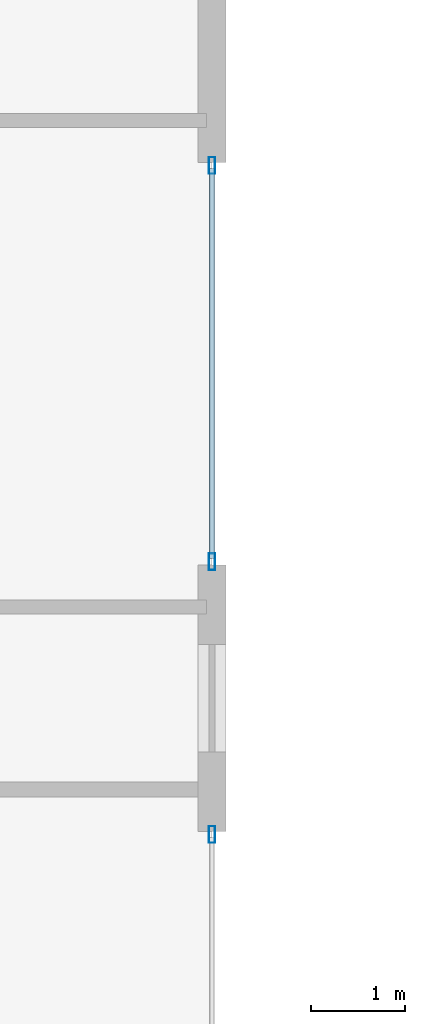
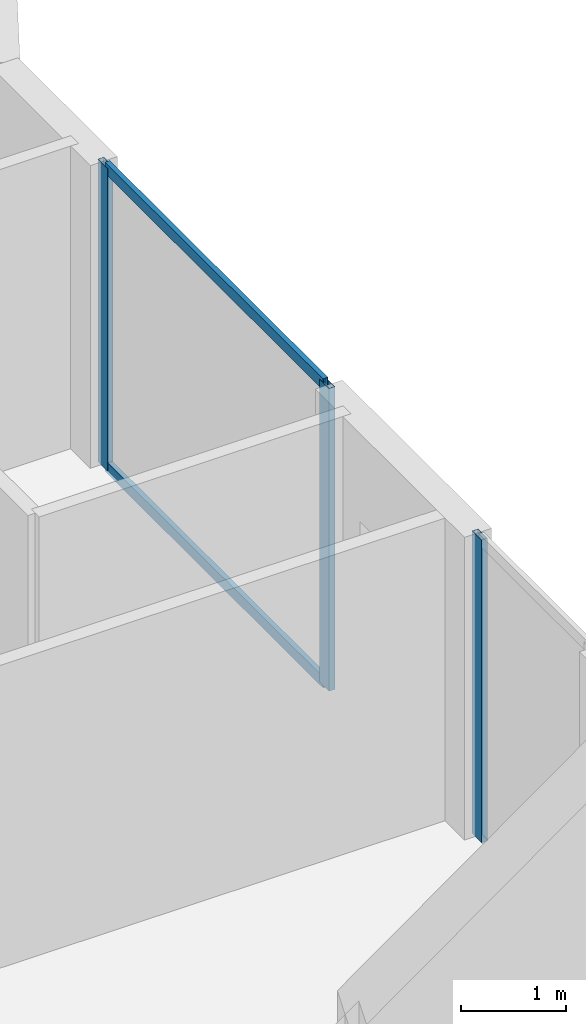
# One storey, part 14 of 32: 5 members, 2 elements without a shape of their own.
"""IFC4 building model written with IfcOpenShell, lengths in metres."""

from ifc_helpers import new_model, si_unit, direction, frame, origin, origin_2d, place, context, subcontext, project, spatial, hollow_rectangle, extrude, material, layer, layer_set, material_profile, profile_set, type_object, element, aggregate, save


model = new_model("IFC4")

# Units and contexts
model_context = context("Model", 3, precision=1e-05, world=origin(), true_north=direction((0.0, 1.0)))
body_context = subcontext(model_context, "Body", "Model", "MODEL_VIEW")
ifc_project = project(units=[si_unit("LENGTHUNIT", "METRE"), si_unit("AREAUNIT", "SQUARE_METRE"), si_unit("VOLUMEUNIT", "CUBIC_METRE"), si_unit("PLANEANGLEUNIT", "RADIAN"), si_unit("MASSUNIT", "GRAM", prefix="KILO")], contexts=[model_context])

# Site, building, storey
site_placement = place(None, origin())
site = spatial("IfcSite", under=ifc_project, at=site_placement, CompositionType="ELEMENT")
building_placement = place(site_placement, origin())
building = spatial("IfcBuilding", under=site, at=building_placement, Name="Zuhayl Quay Hotel", CompositionType="ELEMENT")
storey_placement = place(building_placement, frame((0.0, 0.0, 203.64990234375)))
storey = spatial("IfcBuildingStorey", under=building, at=storey_placement, Name="L51", CompositionType="ELEMENT", Elevation=203.64990234375)

# Curtain wall, members
ifc_material_1 = material(Name="Anodised Aluminium 6063-T6", Category="aluminium")
ifc_layer = layer(ifc_material_1, 0.175048828125, Name="Anodised Aluminium 6063-T6", Category="aluminium")
ifc_layer_set = layer_set([ifc_layer], Name="Anodised Aluminium 6063-T6")
curtain_wall_type = type_object("IfcCurtainWallType", Name="CW_SYS_Z3", PredefinedType="USERDEFINED", material=ifc_layer_set)
curtain_wall_1_placement = place(storey_placement, origin())
curtain_wall_1 = element("IfcCurtainWall", 1, at=curtain_wall_1_placement, inside=storey, type_object=curtain_wall_type, Name="L51 Curtain Wall ENV_L51_E14_CW1", ObjectType="UNITISED CURTAIN WALL", PredefinedType="USERDEFINED")
ifc_material_2 = material(Name="Black-anodised aluminium 6063-T6", Category="aluminium")
ifc_material_profile_1 = material_profile(ifc_material_2, hollow_rectangle(XDim=0.06494140625, YDim=0.179931640625, WallThickness=0.00341796875, at=origin_2d()), Name="ALU180X65")
ifc_profile_set_1 = profile_set([ifc_material_profile_1], Name="Black-anodised aluminium 6063-T6")
member_type_1 = type_object("IfcMemberType", Name="MB_CW_MUL_180", PredefinedType="MULLION", material=ifc_profile_set_1)
member_1_placement = place(storey_placement, frame((22.10009765625, 6.267578125, 0.0), z_axis=(0.0, 0.0, 1.0), x_axis=(1.0, 0.0, 0.0)))
member_1 = element("IfcMember", 2, at=member_1_placement, type_object=member_type_1, Name="CW-Z3 mullion 1", PredefinedType="MULLION", context=body_context, shape_type="SweptSolid", body=[
    extrude(hollow_rectangle(XDim=0.06494140625, YDim=0.179931640625, WallThickness=0.00341796875, at=origin_2d()), origin(), (0.0, 0.0, 1.0), 3.530029296875),
])
member_2_placement = place(storey_placement, frame((22.10009765625, 2.032470703125, 0.0), z_axis=(0.0, 0.0, 1.0), x_axis=(1.0, 0.0, 0.0)))
member_2 = element("IfcMember", 3, at=member_2_placement, type_object=member_type_1, Name="CW-Z3 mullion 2", PredefinedType="MULLION", context=body_context, shape_type="SweptSolid", body=[
    extrude(hollow_rectangle(XDim=0.06494140625, YDim=0.179931640625, WallThickness=0.00341796875, at=origin_2d()), origin(), (0.0, 0.0, 1.0), 3.530029296875),
])

# Curtain wall, member
curtain_wall_2_placement = place(storey_placement, origin())
curtain_wall_2 = element("IfcCurtainWall", 4, at=curtain_wall_2_placement, inside=storey, type_object=curtain_wall_type, Name="L51 Curtain Wall ENV_L51_E14_CW2", ObjectType="UNITISED CURTAIN WALL", PredefinedType="USERDEFINED")
member_3_placement = place(storey_placement, frame((22.10009765625, -0.882568359375, 0.0), z_axis=(0.0, 0.0, 1.0), x_axis=(1.0, 0.0, 0.0)))
member_3 = element("IfcMember", 5, at=member_3_placement, type_object=member_type_1, Name="CW-Z3 mullion 1", PredefinedType="MULLION", context=body_context, shape_type="SweptSolid", body=[
    extrude(hollow_rectangle(XDim=0.06494140625, YDim=0.179931640625, WallThickness=0.00341796875, at=origin_2d()), origin(), (0.0, 0.0, 1.0), 3.530029296875),
])
aggregate(curtain_wall_2, [member_3])

# Member
ifc_material_profile_2 = material_profile(ifc_material_2, hollow_rectangle(XDim=0.054931640625, YDim=0.1298828125, WallThickness=0.0029296875, at=origin_2d()), Name="ALU130X55")
ifc_profile_set_2 = profile_set([ifc_material_profile_2], Name="Black-anodised aluminium 6063-T6")
member_type_2 = type_object("IfcMemberType", Name="MB_CW_TRN_130", PredefinedType="USERDEFINED", material=ifc_profile_set_2)
member_4_placement = place(storey_placement, frame((22.10009765625, 6.235107421875, 0.027587890625), z_axis=(0.0, -1.0, 0.0), x_axis=(1.0, 0.0, 0.0)))
member_4 = element("IfcMember", 6, at=member_4_placement, type_object=member_type_2, Name="CW-Z3 transom 1.1", ObjectType="TRANSOM", PredefinedType="USERDEFINED", context=body_context, shape_type="SweptSolid", body=[
    extrude(hollow_rectangle(XDim=0.054931640625, YDim=0.1298828125, WallThickness=0.0029296875, at=origin_2d()), origin(), (0.0, 0.0, 1.0), 4.170166015625),
])

member_5_placement = place(storey_placement, frame((22.10009765625, 6.235107421875, 3.502685546875), z_axis=(0.0, -1.0, 0.0), x_axis=(1.0, 0.0, 0.0)))
member_5 = element("IfcMember", 7, at=member_5_placement, type_object=member_type_2, Name="CW-Z3 transom 1.2", ObjectType="TRANSOM", PredefinedType="USERDEFINED", context=body_context, shape_type="SweptSolid", body=[
    extrude(hollow_rectangle(XDim=0.054931640625, YDim=0.1298828125, WallThickness=0.0029296875, at=origin_2d()), origin(), (0.0, 0.0, 1.0), 4.170166015625),
])

aggregate(curtain_wall_1, [member_1, member_2, member_4, member_5])

save(model, "model.ifc")
